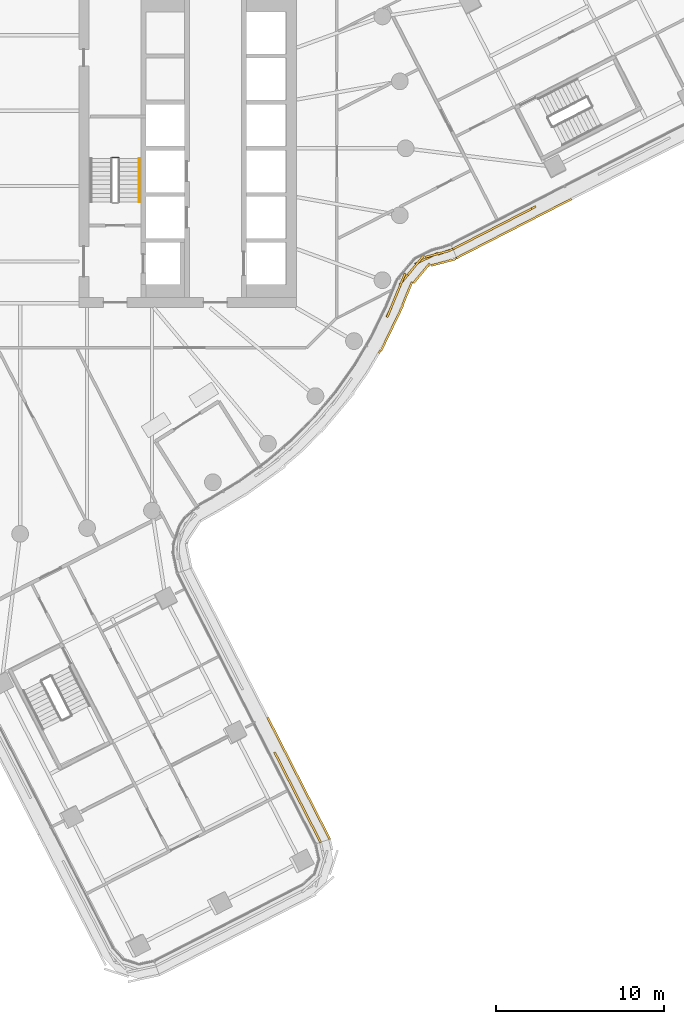
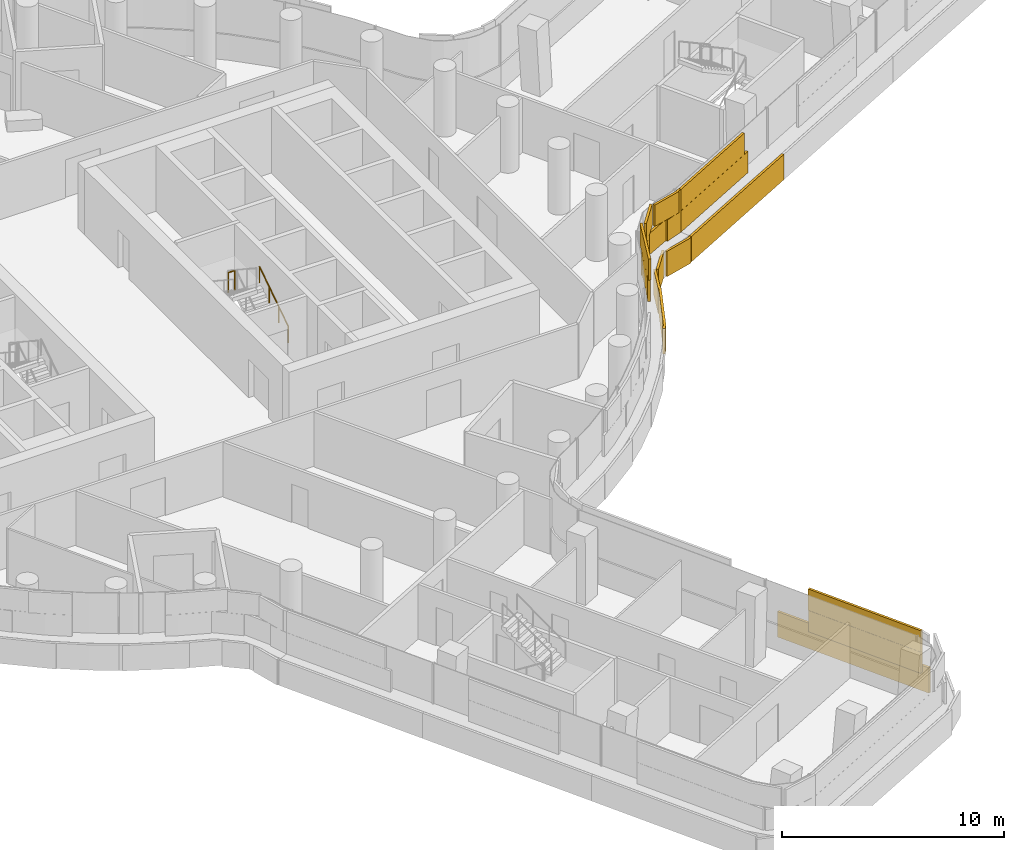
# One storey, part 32 of 37: 3 coverings, 2 railings.
"""IFC4 building model written with IfcOpenShell, lengths in metres."""

from ifc_helpers import new_model, si_unit, direction, frame, origin, origin_2d, place, context, subcontext, project, spatial, rectangle, circle, extrude, material, layer, layer_set, type_object, element, save


model = new_model("IFC4")

# Units and contexts
model_context = context("Model", 3, precision=1e-05, world=origin(), true_north=direction((0.0, 1.0)))
body_context = subcontext(model_context, "Body", "Model", "MODEL_VIEW")
ifc_project = project(units=[si_unit("LENGTHUNIT", "METRE"), si_unit("AREAUNIT", "SQUARE_METRE"), si_unit("VOLUMEUNIT", "CUBIC_METRE"), si_unit("PLANEANGLEUNIT", "RADIAN"), si_unit("MASSUNIT", "GRAM", prefix="KILO")], contexts=[model_context])

# Site, building, storey
site_placement = place(None, origin())
site = spatial("IfcSite", under=ifc_project, at=site_placement, CompositionType="ELEMENT")
building_placement = place(site_placement, origin())
building = spatial("IfcBuilding", under=site, at=building_placement, Name="Tamarind Cross Interchange Tower", CompositionType="ELEMENT")
storey_placement = place(building_placement, frame((0.0, 0.0, 133.0)))
storey = spatial("IfcBuildingStorey", under=building, at=storey_placement, Name="L32", CompositionType="ELEMENT", Elevation=133.0)

# Railings
ifc_material_1 = material(Name="Stair guard")
railing_type_1 = type_object("IfcRailingType", Name="Stair guard", PredefinedType="GUARDRAIL", material=ifc_material_1)
railing_1_placement = place(storey_placement, frame((5.85009765625, -0.550048828125, 1.875)))
element("IfcRailing", 1, at=railing_1_placement, inside=storey, type_object=railing_type_1, Name="L32 ST2 stair guard 2", PredefinedType="GUARDRAIL", context=body_context, shape_type="SweptSolid", body=[
    extrude(circle(Radius=0.02392578125, at=origin_2d()), frame((0.0, 0.0, 1.076171875), z_axis=(-1.0, 0.0, 0.0), x_axis=(0.0, -1.0, 0.0)), (0.0, 0.0, 1.0), 0.35009765625),
    extrude(circle(Radius=0.02099609375, at=origin_2d()), origin(), (0.0, 0.0, 1.0), 1.052001953125),
    extrude(circle(Radius=0.02099609375, at=origin_2d()), frame((-0.35009765625, 0.0, 0.0)), (0.0, 0.0, 1.0), 1.052001953125),
])
ifc_material_2 = material(Name="Stair handrail")
railing_type_2 = type_object("IfcRailingType", Name="Stair handrail", PredefinedType="HANDRAIL", material=ifc_material_2)
railing_2_placement = place(storey_placement, frame((7.10009765625, -3.199951171875, 0.17041015625)))
element("IfcRailing", 2, at=railing_2_placement, inside=storey, type_object=railing_type_2, Name="L32 ST2 stair handrail 1", PredefinedType="HANDRAIL", context=body_context, shape_type="SweptSolid", body=[
    extrude(circle(Radius=0.02392578125, at=origin_2d()), frame((0.0, 0.0, 0.8759765625), z_axis=(0.0, 0.836278606002, 0.548304744775), x_axis=(-1.0, 0.0, 0.0)), (0.0, 0.0, 1.0), 3.10888671875),
    extrude(circle(Radius=0.02099609375, at=origin_2d()), origin(), (0.0, 0.0, 1.0), 0.851806640625),
    extrude(circle(Radius=0.02099609375, at=origin_2d()), frame((0.0, 0.86669921875, 0.568115234375)), (0.0, 0.0, 1.0), 0.851806640625),
    extrude(circle(Radius=0.02099609375, at=origin_2d()), frame((0.0, 1.733154296875, 1.136474609375)), (0.0, 0.0, 1.0), 0.851806640625),
    extrude(circle(Radius=0.02099609375, at=origin_2d()), frame((0.0, 2.599853515625, 1.70458984375)), (0.0, 0.0, 1.0), 0.851806640625),
])

# Coverings
ifc_material_3 = material(Name="Terracotta", Category="masonry")
ifc_layer = layer(ifc_material_3, 0.1201171875)
ifc_layer_set = layer_set([ifc_layer], Name="Terracotta")
covering_type = type_object("IfcCoveringType", Name="Terracotta baguette screen unit", PredefinedType="MOLDING", material=ifc_layer_set)
covering_1_placement = place(storey_placement, origin())
element("IfcCovering", 3, at=covering_1_placement, inside=storey, type_object=covering_type, Name="SCR-L32-05-00", PredefinedType="MOLDING", context=body_context, shape_type="SweptSolid", body=[
    extrude(rectangle(XDim=1.510009765625, YDim=0.1201171875, at=origin_2d()), frame((17.583251953125, -40.732421875, 1.404052734375), z_axis=(0.0, 0.0, 1.0), x_axis=(-0.454846512766, 0.890569845562, 0.0)), (0.0, 0.0, 1.0), 1.1669921875),
    extrude(rectangle(XDim=1.52001953125, YDim=0.1201171875, at=origin_2d()), frame((16.90087890625, -39.396728515625, 1.404052734375), z_axis=(0.0, 0.0, 1.0), x_axis=(-0.454846512766, 0.890569845562, 0.0)), (0.0, 0.0, 1.0), 1.1669921875),
    extrude(rectangle(XDim=1.52001953125, YDim=0.1201171875, at=origin_2d()), frame((16.21875, -38.060791015625, 1.404052734375), z_axis=(0.0, 0.0, 1.0), x_axis=(-0.454846512766, 0.890569845562, 0.0)), (0.0, 0.0, 1.0), 1.1669921875),
    extrude(rectangle(XDim=1.52001953125, YDim=0.1201171875, at=origin_2d()), frame((15.536376953125, -36.724853515625, 1.404052734375), z_axis=(0.0, 0.0, 1.0), x_axis=(-0.454846512766, 0.890569845562, 0.0)), (0.0, 0.0, 1.0), 1.1669921875),
    extrude(rectangle(XDim=0.760009765625, YDim=0.1201171875, at=origin_2d()), frame((17.75390625, -41.06640625, 2.5791015625), z_axis=(0.0, 0.0, 1.0), x_axis=(-0.454846512766, 0.890569845562, 0.0)), (0.0, 0.0, 1.0), 1.1669921875),
    extrude(rectangle(XDim=1.52001953125, YDim=0.1201171875, at=origin_2d()), frame((17.2421875, -40.064453125, 2.5791015625), z_axis=(0.0, 0.0, 1.0), x_axis=(-0.454846512766, 0.890569845562, 0.0)), (0.0, 0.0, 1.0), 1.1669921875),
    extrude(rectangle(XDim=1.52001953125, YDim=0.1201171875, at=origin_2d()), frame((16.559814453125, -38.728759765625, 2.5791015625), z_axis=(0.0, 0.0, 1.0), x_axis=(-0.454846512766, 0.890569845562, 0.0)), (0.0, 0.0, 1.0), 1.1669921875),
    extrude(rectangle(XDim=1.52001953125, YDim=0.1201171875, at=origin_2d()), frame((15.877685546875, -37.392822265625, 2.5791015625), z_axis=(0.0, 0.0, 1.0), x_axis=(-0.454846512766, 0.890569845562, 0.0)), (0.0, 0.0, 1.0), 1.1669921875),
    extrude(rectangle(XDim=0.7919921875, YDim=0.1201171875, at=origin_2d()), frame((15.358642578125, -36.376708984375, 2.5791015625), z_axis=(0.0, 0.0, 1.0), x_axis=(-0.454846512766, 0.890569845562, 0.0)), (0.0, 0.0, 1.0), 1.1669921875),
    extrude(rectangle(XDim=1.510009765625, YDim=0.1201171875, at=origin_2d()), frame((18.126220703125, -40.53369140625, 0.00390625), z_axis=(0.0, 0.0, 1.0), x_axis=(-0.454846512766, 0.890569845562, 0.0)), (0.0, 0.0, 1.0), 1.39208984375),
    extrude(rectangle(XDim=1.52001953125, YDim=0.1201171875, at=origin_2d()), frame((17.4462890625, -39.202392578125, 0.00390625), z_axis=(0.0, 0.0, 1.0), x_axis=(-0.454846512766, 0.890569845562, 0.0)), (0.0, 0.0, 1.0), 1.39208984375),
    extrude(rectangle(XDim=1.52001953125, YDim=0.1201171875, at=origin_2d()), frame((16.763916015625, -37.866455078125, 0.00390625), z_axis=(0.0, 0.0, 1.0), x_axis=(-0.454846512766, 0.890569845562, 0.0)), (0.0, 0.0, 1.0), 1.39208984375),
    extrude(rectangle(XDim=1.52001953125, YDim=0.1201171875, at=origin_2d()), frame((16.081787109375, -36.53076171875, 0.00390625), z_axis=(0.0, 0.0, 1.0), x_axis=(-0.454846512766, 0.890569845562, 0.0)), (0.0, 0.0, 1.0), 1.39208984375),
    extrude(rectangle(XDim=1.52001953125, YDim=0.1201171875, at=origin_2d()), frame((15.3994140625, -35.19482421875, 0.00390625), z_axis=(0.0, 0.0, 1.0), x_axis=(-0.454846512766, 0.890569845562, 0.0)), (0.0, 0.0, 1.0), 1.39208984375),
    extrude(rectangle(XDim=0.6416015625, YDim=0.1201171875, at=origin_2d()), frame((14.9169921875, -34.25, 0.00390625), z_axis=(0.0, 0.0, 1.0), x_axis=(-0.454846512766, 0.890569845562, 0.0)), (0.0, 0.0, 1.0), 1.39208984375),
])
covering_2_placement = place(storey_placement, origin())
element("IfcCovering", 4, at=covering_2_placement, inside=storey, type_object=covering_type, Name="SCR-L32-06-01", PredefinedType="MOLDING", context=body_context, shape_type="SweptSolid", body=[
    extrude(rectangle(XDim=0.59130859375, YDim=0.1201171875, at=origin_2d()), frame((21.991943359375, -9.80126953125, 1.404052734375), z_axis=(0.0, 0.0, 1.0), x_axis=(0.435326231914, 0.900272776334, 0.0)), (0.0, 0.0, 1.0), 1.1669921875),
    extrude(rectangle(XDim=1.52001953125, YDim=0.1201171875, at=origin_2d()), frame((22.40087890625, -8.844482421875, 1.404052734375), z_axis=(0.0, 0.0, 1.0), x_axis=(0.379836977409, 0.92505344202, 0.0)), (0.0, 0.0, 1.0), 1.1669921875),
    extrude(rectangle(XDim=1.52001953125, YDim=0.1201171875, at=origin_2d()), frame((23.12451171875, -7.5498046875, 1.404052734375), z_axis=(0.0, 0.0, 1.0), x_axis=(0.639426054821, 0.768852599928, 0.0)), (0.0, 0.0, 1.0), 1.1669921875),
    extrude(rectangle(XDim=1.52001953125, YDim=0.1201171875, at=origin_2d()), frame((24.228271484375, -6.579833984375, 1.404052734375), z_axis=(0.0, 0.0, 1.0), x_axis=(0.896527777949, 0.442987520553, 0.0)), (0.0, 0.0, 1.0), 1.1669921875),
    extrude(rectangle(XDim=0.953857421875, YDim=0.1201171875, at=origin_2d()), frame((25.373046875, -6.1689453125, 1.404052734375), z_axis=(0.0, 0.0, 1.0), x_axis=(0.941677463588, 0.336516796863, 0.0)), (0.0, 0.0, 1.0), 1.1669921875),
    extrude(rectangle(XDim=1.34130859375, YDim=0.1201171875, at=origin_2d()), frame((22.14794921875, -9.46044921875, 2.5791015625), z_axis=(0.0, 0.0, 1.0), x_axis=(0.379836977409, 0.92505344202, 0.0)), (0.0, 0.0, 1.0), 1.1669921875),
    extrude(rectangle(XDim=1.52001953125, YDim=0.1201171875, at=origin_2d()), frame((22.685546875, -8.15087890625, 2.5791015625), z_axis=(0.0, 0.0, 1.0), x_axis=(0.379836977409, 0.92505344202, 0.0)), (0.0, 0.0, 1.0), 1.1669921875),
    extrude(rectangle(XDim=1.52001953125, YDim=0.1201171875, at=origin_2d()), frame((23.604248046875, -6.97314453125, 2.5791015625), z_axis=(0.0, 0.0, 1.0), x_axis=(0.639426054821, 0.768852599928, 0.0)), (0.0, 0.0, 1.0), 1.1669921875),
    extrude(rectangle(XDim=1.52001953125, YDim=0.1201171875, at=origin_2d()), frame((24.918212890625, -6.294189453125, 2.5791015625), z_axis=(0.0, 0.0, 1.0), x_axis=(0.966981017495, 0.254848409458, 0.0)), (0.0, 0.0, 1.0), 1.1669921875),
    extrude(rectangle(XDim=0.203857421875, YDim=0.1201171875, at=origin_2d()), frame((25.72607421875, -6.042724609375, 2.5791015625), z_axis=(0.0, 0.0, 1.0), x_axis=(0.941677463588, 0.336516796863, 0.0)), (0.0, 0.0, 1.0), 1.1669921875),
    extrude(rectangle(XDim=0.188720703125, YDim=0.1201171875, at=origin_2d()), frame((21.45068359375, -12.131591796875, 0.00390625), z_axis=(0.0, 0.0, 1.0), x_axis=(0.508183308752, 0.861248933065, 0.0)), (0.0, 0.0, 1.0), 1.39208984375),
    extrude(rectangle(XDim=1.52001953125, YDim=0.1201171875, at=origin_2d()), frame((21.855224609375, -11.40234375, 0.00390625), z_axis=(0.0, 0.0, 1.0), x_axis=(0.435326231914, 0.900272776334, 0.0)), (0.0, 0.0, 1.0), 1.39208984375),
    extrude(rectangle(XDim=1.52001953125, YDim=0.1201171875, at=origin_2d()), frame((22.50830078125, -10.052001953125, 0.00390625), z_axis=(0.0, 0.0, 1.0), x_axis=(0.435326231914, 0.900272776334, 0.0)), (0.0, 0.0, 1.0), 1.39208984375),
    extrude(rectangle(XDim=1.52001953125, YDim=0.1201171875, at=origin_2d()), frame((23.092529296875, -8.6708984375, 0.00390625), z_axis=(0.0, 0.0, 1.0), x_axis=(0.379836977409, 0.92505344202, 0.0)), (0.0, 0.0, 1.0), 1.39208984375),
    extrude(rectangle(XDim=1.52001953125, YDim=0.1201171875, at=origin_2d()), frame((23.94921875, -7.4560546875, 0.00390625), z_axis=(0.0, 0.0, 1.0), x_axis=(0.639426054821, 0.768852599928, 0.0)), (0.0, 0.0, 1.0), 1.39208984375),
    extrude(rectangle(XDim=1.52001953125, YDim=0.1201171875, at=origin_2d()), frame((25.266357421875, -6.7958984375, 0.00390625), z_axis=(0.0, 0.0, 1.0), x_axis=(0.966981017495, 0.254848409458, 0.0)), (0.0, 0.0, 1.0), 1.39208984375),
    extrude(rectangle(XDim=0.081787109375, YDim=0.1201171875, at=origin_2d()), frame((26.007568359375, -6.5517578125, 0.00390625), z_axis=(0.0, 0.0, 1.0), x_axis=(0.941677463588, 0.336516796863, 0.0)), (0.0, 0.0, 1.0), 1.39208984375),
])
covering_3_placement = place(storey_placement, origin())
element("IfcCovering", 5, at=covering_3_placement, inside=storey, type_object=covering_type, Name="SCR-L32-07-00", PredefinedType="MOLDING", context=body_context, shape_type="SweptSolid", body=[
    extrude(rectangle(XDim=1.510009765625, YDim=0.1201171875, at=origin_2d()), frame((26.484619140625, -5.667724609375, 1.404052734375), z_axis=(0.0, 0.0, 1.0), x_axis=(0.889697026233, 0.456551422638, 0.0)), (0.0, 0.0, 1.0), 1.1669921875),
    extrude(rectangle(XDim=1.52001953125, YDim=0.1201171875, at=origin_2d()), frame((27.819091796875, -4.98291015625, 1.404052734375), z_axis=(0.0, 0.0, 1.0), x_axis=(0.889697026233, 0.456551422638, 0.0)), (0.0, 0.0, 1.0), 1.1669921875),
    extrude(rectangle(XDim=1.52001953125, YDim=0.1201171875, at=origin_2d()), frame((29.15380859375, -4.298095703125, 1.404052734375), z_axis=(0.0, 0.0, 1.0), x_axis=(0.889697026233, 0.456551422638, 0.0)), (0.0, 0.0, 1.0), 1.1669921875),
    extrude(rectangle(XDim=1.05712890625, YDim=0.1201171875, at=origin_2d()), frame((30.286865234375, -3.716552734375, 1.404052734375), z_axis=(0.0, 0.0, 1.0), x_axis=(0.889697026233, 0.456551422638, 0.0)), (0.0, 0.0, 1.0), 1.1669921875),
    extrude(rectangle(XDim=0.760009765625, YDim=0.1201171875, at=origin_2d()), frame((26.15087890625, -5.8388671875, 2.5791015625), z_axis=(0.0, 0.0, 1.0), x_axis=(0.889697026233, 0.456551422638, 0.0)), (0.0, 0.0, 1.0), 1.1669921875),
    extrude(rectangle(XDim=1.52001953125, YDim=0.1201171875, at=origin_2d()), frame((27.15185546875, -5.3251953125, 2.5791015625), z_axis=(0.0, 0.0, 1.0), x_axis=(0.889697026233, 0.456551422638, 0.0)), (0.0, 0.0, 1.0), 1.1669921875),
    extrude(rectangle(XDim=1.52001953125, YDim=0.1201171875, at=origin_2d()), frame((28.486328125, -4.640380859375, 2.5791015625), z_axis=(0.0, 0.0, 1.0), x_axis=(0.889697026233, 0.456551422638, 0.0)), (0.0, 0.0, 1.0), 1.1669921875),
    extrude(rectangle(XDim=1.52001953125, YDim=0.1201171875, at=origin_2d()), frame((29.821044921875, -3.95556640625, 2.5791015625), z_axis=(0.0, 0.0, 1.0), x_axis=(0.889697026233, 0.456551422638, 0.0)), (0.0, 0.0, 1.0), 1.1669921875),
    extrude(rectangle(XDim=1.510009765625, YDim=0.1201171875, at=origin_2d()), frame((26.7177734375, -6.193359375, 0.00390625), z_axis=(0.0, 0.0, 1.0), x_axis=(0.889697026233, 0.456551422638, 0.0)), (0.0, 0.0, 1.0), 1.39208984375),
    extrude(rectangle(XDim=1.52001953125, YDim=0.1201171875, at=origin_2d()), frame((28.0478515625, -5.5107421875, 0.00390625), z_axis=(0.0, 0.0, 1.0), x_axis=(0.889697026233, 0.456551422638, 0.0)), (0.0, 0.0, 1.0), 1.39208984375),
    extrude(rectangle(XDim=1.52001953125, YDim=0.1201171875, at=origin_2d()), frame((29.38232421875, -4.825927734375, 0.00390625), z_axis=(0.0, 0.0, 1.0), x_axis=(0.889697026233, 0.456551422638, 0.0)), (0.0, 0.0, 1.0), 1.39208984375),
    extrude(rectangle(XDim=1.52001953125, YDim=0.1201171875, at=origin_2d()), frame((30.716796875, -4.14111328125, 0.00390625), z_axis=(0.0, 0.0, 1.0), x_axis=(0.889697026233, 0.456551422638, 0.0)), (0.0, 0.0, 1.0), 1.39208984375),
    extrude(rectangle(XDim=1.52001953125, YDim=0.1201171875, at=origin_2d()), frame((32.051513671875, -3.456298828125, 0.00390625), z_axis=(0.0, 0.0, 1.0), x_axis=(0.889697026233, 0.456551422638, 0.0)), (0.0, 0.0, 1.0), 1.39208984375),
    extrude(rectangle(XDim=0.192138671875, YDim=0.1201171875, at=origin_2d()), frame((32.795166015625, -3.074462890625, 0.00390625), z_axis=(0.0, 0.0, 1.0), x_axis=(0.889697026233, 0.456551422638, 0.0)), (0.0, 0.0, 1.0), 1.39208984375),
])

save(model, "model.ifc")
